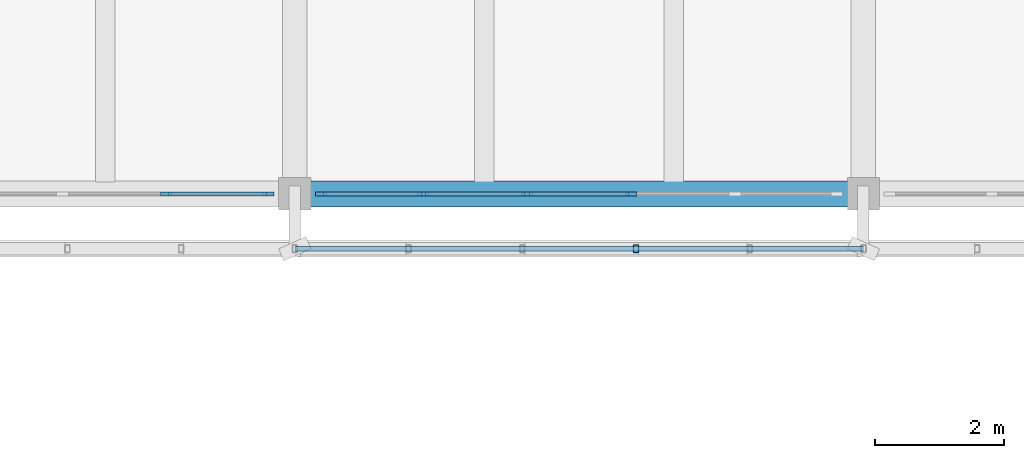
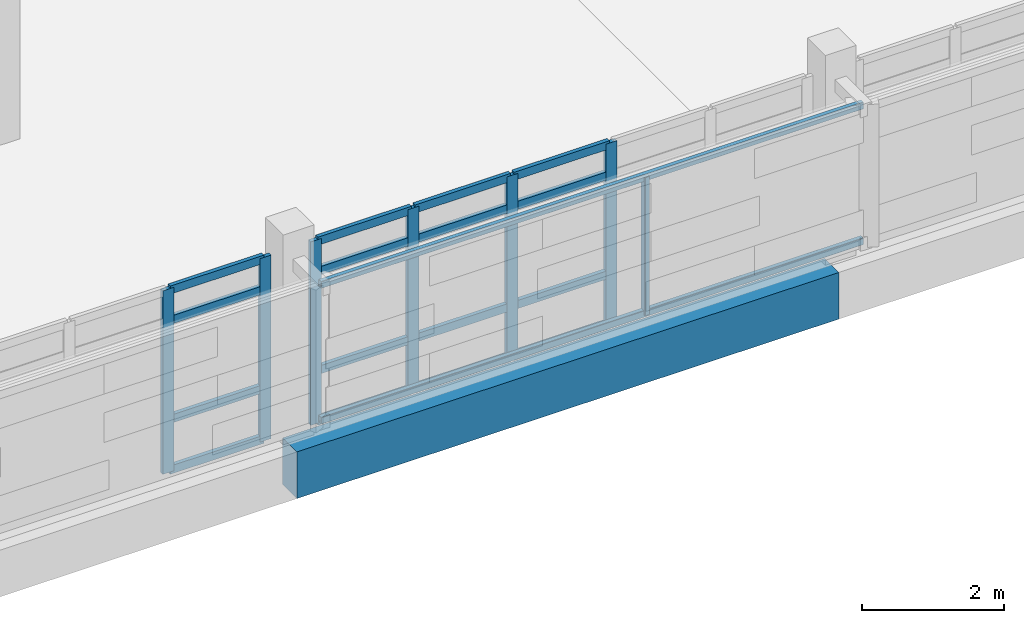
# One storey, part 13 of 50: 25 members, 1 beam, 2 elements without a shape of their own.
"""IFC4 building model written with IfcOpenShell, lengths in metres."""

from ifc_helpers import new_model, si_unit, direction, frame, origin, origin_2d, place, context, subcontext, project, spatial, rectangle, hollow_rectangle, extrude, material, material_profile, profile_set, type_object, element, aggregate, save


model = new_model("IFC4")

# Units and contexts
model_context = context("Model", 3, precision=1e-05, world=origin(), true_north=direction((0.0, 1.0)))
body_context = subcontext(model_context, "Body", "Model", "MODEL_VIEW")
ifc_project = project(units=[si_unit("LENGTHUNIT", "METRE"), si_unit("AREAUNIT", "SQUARE_METRE"), si_unit("VOLUMEUNIT", "CUBIC_METRE"), si_unit("PLANEANGLEUNIT", "RADIAN"), si_unit("MASSUNIT", "GRAM", prefix="KILO")], contexts=[model_context])

# Site, building, storey
site_placement = place(None, origin())
site = spatial("IfcSite", under=ifc_project, at=site_placement, CompositionType="ELEMENT")
building_placement = place(site_placement, origin())
building = spatial("IfcBuilding", under=site, at=building_placement, Name="Cinderway Yard Community Centre", CompositionType="ELEMENT")
storey_placement = place(building_placement, frame((0.0, 0.0, 12.89990234375)))
storey = spatial("IfcBuildingStorey", under=building, at=storey_placement, Name="L03", CompositionType="ELEMENT", Elevation=12.89990234375)

# Curtain wall, members
ifc_material_1 = material(Name="Aluminium 6063-T6", Category="aluminium")
curtain_wall_type = type_object("IfcCurtainWallType", Name="ENV-CW-TYPE-33", PredefinedType="USERDEFINED", material=ifc_material_1)
curtain_wall_1_placement = place(storey_placement, origin())
curtain_wall_1 = element("IfcCurtainWall", 1, at=curtain_wall_1_placement, inside=storey, type_object=curtain_wall_type, Name="V4 Courtyard Curtain Wall ENV-CW-L03-HS-0165", ObjectType="GLAZED CURTAIN WALL", PredefinedType="USERDEFINED")
ifc_material_profile_1 = material_profile(ifc_material_1, rectangle(XDim=0.06494140625, YDim=0.179931640625, at=origin_2d()), Name="Aluminium 6063-T6")
ifc_profile_set_1 = profile_set([ifc_material_profile_1], Name="Aluminium 6063-T6")
member_type_1 = type_object("IfcMemberType", Name="ENV-CW-MULL-180", PredefinedType="MULLION", material=ifc_profile_set_1)
member_1_placement = place(storey_placement, frame((82.011962890625, 90.0, 0.0), z_axis=(0.0, 0.0, 1.0), x_axis=(0.0, 1.0, 0.0)))
member_1 = element("IfcMember", 2, at=member_1_placement, type_object=member_type_1, Name="CW-33 mullion 5", PredefinedType="MULLION", context=body_context, shape_type="SweptSolid", body=[
    extrude(rectangle(XDim=0.06494140625, YDim=0.179931640625, at=origin_2d()), origin(), (0.0, 0.0, 1.0), 3.150146484375),
])
member_2_placement = place(storey_placement, frame((83.590087890625, 90.0, 0.0), z_axis=(0.0, 0.0, 1.0), x_axis=(0.0, 1.0, 0.0)))
member_2 = element("IfcMember", 3, at=member_2_placement, type_object=member_type_1, Name="CW-33 mullion 6", PredefinedType="MULLION", context=body_context, shape_type="SweptSolid", body=[
    extrude(rectangle(XDim=0.06494140625, YDim=0.179931640625, at=origin_2d()), origin(), (0.0, 0.0, 1.0), 3.150146484375),
])

curtain_wall_2_placement = place(storey_placement, origin())
curtain_wall_2 = element("IfcCurtainWall", 4, at=curtain_wall_2_placement, inside=storey, type_object=curtain_wall_type, Name="V4 Courtyard Curtain Wall ENV-CW-L03-HS-0167", ObjectType="GLAZED CURTAIN WALL", PredefinedType="USERDEFINED")
member_3_placement = place(storey_placement, frame((84.409912109375, 90.0, 0.0), z_axis=(0.0, 0.0, 1.0), x_axis=(0.0, 1.0, 0.0)))
member_3 = element("IfcMember", 5, at=member_3_placement, type_object=member_type_1, Name="CW-33 mullion 1", PredefinedType="MULLION", context=body_context, shape_type="SweptSolid", body=[
    extrude(rectangle(XDim=0.06494140625, YDim=0.179931640625, at=origin_2d()), origin(), (0.0, 0.0, 1.0), 3.150146484375),
])
member_4_placement = place(storey_placement, frame((85.988037109375, 90.0, 0.0), z_axis=(0.0, 0.0, 1.0), x_axis=(0.0, 1.0, 0.0)))
member_4 = element("IfcMember", 6, at=member_4_placement, type_object=member_type_1, Name="CW-33 mullion 2", PredefinedType="MULLION", context=body_context, shape_type="SweptSolid", body=[
    extrude(rectangle(XDim=0.06494140625, YDim=0.179931640625, at=origin_2d()), origin(), (0.0, 0.0, 1.0), 3.150146484375),
])
member_5_placement = place(storey_placement, frame((87.595947265625, 90.0, 0.0), z_axis=(0.0, 0.0, 1.0), x_axis=(0.0, 1.0, 0.0)))
member_5 = element("IfcMember", 7, at=member_5_placement, type_object=member_type_1, Name="CW-33 mullion 3", PredefinedType="MULLION", context=body_context, shape_type="SweptSolid", body=[
    extrude(rectangle(XDim=0.06494140625, YDim=0.179931640625, at=origin_2d()), origin(), (0.0, 0.0, 1.0), 3.150146484375),
])
member_6_placement = place(storey_placement, frame((89.2041015625, 90.0, 0.0), z_axis=(0.0, 0.0, 1.0), x_axis=(0.0, 1.0, 0.0)))
member_6 = element("IfcMember", 8, at=member_6_placement, type_object=member_type_1, Name="CW-33 mullion 4", PredefinedType="MULLION", context=body_context, shape_type="SweptSolid", body=[
    extrude(rectangle(XDim=0.06494140625, YDim=0.179931640625, at=origin_2d()), origin(), (0.0, 0.0, 1.0), 3.150146484375),
])

# Member
ifc_material_profile_2 = material_profile(ifc_material_1, rectangle(XDim=0.06494140625, YDim=0.139892578125, at=origin_2d()), Name="Aluminium 6063-T6")
ifc_profile_set_2 = profile_set([ifc_material_profile_2], Name="Aluminium 6063-T6")
member_type_2 = type_object("IfcMemberType", Name="ENV-CW-TRAN-140", PredefinedType="USERDEFINED", material=ifc_profile_set_2)
member_7_placement = place(storey_placement, frame((82.0419921875, 90.0, 0.030029296875), z_axis=(1.0, 0.0, 0.0), x_axis=(0.0, 1.0, 0.0)))
member_7 = element("IfcMember", 9, at=member_7_placement, type_object=member_type_2, Name="CW-33 transom 5.1", ObjectType="TRANSOM", PredefinedType="USERDEFINED", context=body_context, shape_type="SweptSolid", body=[
    extrude(rectangle(XDim=0.06494140625, YDim=0.139892578125, at=origin_2d()), origin(), (0.0, 0.0, 1.0), 1.51806640625),
])

member_8_placement = place(storey_placement, frame((82.0419921875, 90.0, 0.900146484375), z_axis=(1.0, 0.0, 0.0), x_axis=(0.0, 1.0, 0.0)))
member_8 = element("IfcMember", 10, at=member_8_placement, type_object=member_type_2, Name="CW-33 transom 5.2", ObjectType="TRANSOM", PredefinedType="USERDEFINED", context=body_context, shape_type="SweptSolid", body=[
    extrude(rectangle(XDim=0.06494140625, YDim=0.139892578125, at=origin_2d()), origin(), (0.0, 0.0, 1.0), 1.51806640625),
])

member_9_placement = place(storey_placement, frame((82.0419921875, 90.0, 2.60009765625), z_axis=(1.0, 0.0, 0.0), x_axis=(0.0, 1.0, 0.0)))
member_9 = element("IfcMember", 11, at=member_9_placement, type_object=member_type_2, Name="CW-33 transom 5.3", ObjectType="TRANSOM", PredefinedType="USERDEFINED", context=body_context, shape_type="SweptSolid", body=[
    extrude(rectangle(XDim=0.06494140625, YDim=0.139892578125, at=origin_2d()), origin(), (0.0, 0.0, 1.0), 1.51806640625),
])

member_10_placement = place(storey_placement, frame((82.0419921875, 90.0, 3.1201171875), z_axis=(1.0, 0.0, 0.0), x_axis=(0.0, 1.0, 0.0)))
member_10 = element("IfcMember", 12, at=member_10_placement, type_object=member_type_2, Name="CW-33 transom 5.4", ObjectType="TRANSOM", PredefinedType="USERDEFINED", context=body_context, shape_type="SweptSolid", body=[
    extrude(rectangle(XDim=0.06494140625, YDim=0.139892578125, at=origin_2d()), origin(), (0.0, 0.0, 1.0), 1.51806640625),
])

aggregate(curtain_wall_1, [member_1, member_2, member_7, member_8, member_9, member_10])

member_11_placement = place(storey_placement, frame((84.43994140625, 90.0, 0.030029296875), z_axis=(1.0, 0.0, 0.0), x_axis=(0.0, 1.0, 0.0)))
member_11 = element("IfcMember", 13, at=member_11_placement, type_object=member_type_2, Name="CW-33 transom 1.1", ObjectType="TRANSOM", PredefinedType="USERDEFINED", context=body_context, shape_type="SweptSolid", body=[
    extrude(rectangle(XDim=0.06494140625, YDim=0.139892578125, at=origin_2d()), origin(), (0.0, 0.0, 1.0), 1.51806640625),
])

member_12_placement = place(storey_placement, frame((84.43994140625, 90.0, 0.900146484375), z_axis=(1.0, 0.0, 0.0), x_axis=(0.0, 1.0, 0.0)))
member_12 = element("IfcMember", 14, at=member_12_placement, type_object=member_type_2, Name="CW-33 transom 1.2", ObjectType="TRANSOM", PredefinedType="USERDEFINED", context=body_context, shape_type="SweptSolid", body=[
    extrude(rectangle(XDim=0.06494140625, YDim=0.139892578125, at=origin_2d()), origin(), (0.0, 0.0, 1.0), 1.51806640625),
])

member_13_placement = place(storey_placement, frame((84.43994140625, 90.0, 2.60009765625), z_axis=(1.0, 0.0, 0.0), x_axis=(0.0, 1.0, 0.0)))
member_13 = element("IfcMember", 15, at=member_13_placement, type_object=member_type_2, Name="CW-33 transom 1.3", ObjectType="TRANSOM", PredefinedType="USERDEFINED", context=body_context, shape_type="SweptSolid", body=[
    extrude(rectangle(XDim=0.06494140625, YDim=0.139892578125, at=origin_2d()), origin(), (0.0, 0.0, 1.0), 1.51806640625),
])

member_14_placement = place(storey_placement, frame((84.43994140625, 90.0, 3.1201171875), z_axis=(1.0, 0.0, 0.0), x_axis=(0.0, 1.0, 0.0)))
member_14 = element("IfcMember", 16, at=member_14_placement, type_object=member_type_2, Name="CW-33 transom 1.4", ObjectType="TRANSOM", PredefinedType="USERDEFINED", context=body_context, shape_type="SweptSolid", body=[
    extrude(rectangle(XDim=0.06494140625, YDim=0.139892578125, at=origin_2d()), origin(), (0.0, 0.0, 1.0), 1.51806640625),
])

member_15_placement = place(storey_placement, frame((86.01806640625, 90.0, 0.030029296875), z_axis=(1.0, 0.0, 0.0), x_axis=(0.0, 1.0, 0.0)))
member_15 = element("IfcMember", 17, at=member_15_placement, type_object=member_type_2, Name="CW-33 transom 2.1", ObjectType="TRANSOM", PredefinedType="USERDEFINED", context=body_context, shape_type="SweptSolid", body=[
    extrude(rectangle(XDim=0.06494140625, YDim=0.139892578125, at=origin_2d()), origin(), (0.0, 0.0, 1.0), 1.5478515625),
])

member_16_placement = place(storey_placement, frame((86.01806640625, 90.0, 0.900146484375), z_axis=(1.0, 0.0, 0.0), x_axis=(0.0, 1.0, 0.0)))
member_16 = element("IfcMember", 18, at=member_16_placement, type_object=member_type_2, Name="CW-33 transom 2.2", ObjectType="TRANSOM", PredefinedType="USERDEFINED", context=body_context, shape_type="SweptSolid", body=[
    extrude(rectangle(XDim=0.06494140625, YDim=0.139892578125, at=origin_2d()), origin(), (0.0, 0.0, 1.0), 1.5478515625),
])

member_17_placement = place(storey_placement, frame((86.01806640625, 90.0, 2.60009765625), z_axis=(1.0, 0.0, 0.0), x_axis=(0.0, 1.0, 0.0)))
member_17 = element("IfcMember", 19, at=member_17_placement, type_object=member_type_2, Name="CW-33 transom 2.3", ObjectType="TRANSOM", PredefinedType="USERDEFINED", context=body_context, shape_type="SweptSolid", body=[
    extrude(rectangle(XDim=0.06494140625, YDim=0.139892578125, at=origin_2d()), origin(), (0.0, 0.0, 1.0), 1.5478515625),
])

member_18_placement = place(storey_placement, frame((86.01806640625, 90.0, 3.1201171875), z_axis=(1.0, 0.0, 0.0), x_axis=(0.0, 1.0, 0.0)))
member_18 = element("IfcMember", 20, at=member_18_placement, type_object=member_type_2, Name="CW-33 transom 2.4", ObjectType="TRANSOM", PredefinedType="USERDEFINED", context=body_context, shape_type="SweptSolid", body=[
    extrude(rectangle(XDim=0.06494140625, YDim=0.139892578125, at=origin_2d()), origin(), (0.0, 0.0, 1.0), 1.5478515625),
])

member_19_placement = place(storey_placement, frame((87.6259765625, 90.0, 0.030029296875), z_axis=(1.0, 0.0, 0.0), x_axis=(0.0, 1.0, 0.0)))
member_19 = element("IfcMember", 21, at=member_19_placement, type_object=member_type_2, Name="CW-33 transom 3.1", ObjectType="TRANSOM", PredefinedType="USERDEFINED", context=body_context, shape_type="SweptSolid", body=[
    extrude(rectangle(XDim=0.06494140625, YDim=0.139892578125, at=origin_2d()), origin(), (0.0, 0.0, 1.0), 1.548095703125),
])

member_20_placement = place(storey_placement, frame((87.6259765625, 90.0, 0.900146484375), z_axis=(1.0, 0.0, 0.0), x_axis=(0.0, 1.0, 0.0)))
member_20 = element("IfcMember", 22, at=member_20_placement, type_object=member_type_2, Name="CW-33 transom 3.2", ObjectType="TRANSOM", PredefinedType="USERDEFINED", context=body_context, shape_type="SweptSolid", body=[
    extrude(rectangle(XDim=0.06494140625, YDim=0.139892578125, at=origin_2d()), origin(), (0.0, 0.0, 1.0), 1.548095703125),
])

member_21_placement = place(storey_placement, frame((87.6259765625, 90.0, 2.60009765625), z_axis=(1.0, 0.0, 0.0), x_axis=(0.0, 1.0, 0.0)))
member_21 = element("IfcMember", 23, at=member_21_placement, type_object=member_type_2, Name="CW-33 transom 3.3", ObjectType="TRANSOM", PredefinedType="USERDEFINED", context=body_context, shape_type="SweptSolid", body=[
    extrude(rectangle(XDim=0.06494140625, YDim=0.139892578125, at=origin_2d()), origin(), (0.0, 0.0, 1.0), 1.548095703125),
])

member_22_placement = place(storey_placement, frame((87.6259765625, 90.0, 3.1201171875), z_axis=(1.0, 0.0, 0.0), x_axis=(0.0, 1.0, 0.0)))
member_22 = element("IfcMember", 24, at=member_22_placement, type_object=member_type_2, Name="CW-33 transom 3.4", ObjectType="TRANSOM", PredefinedType="USERDEFINED", context=body_context, shape_type="SweptSolid", body=[
    extrude(rectangle(XDim=0.06494140625, YDim=0.139892578125, at=origin_2d()), origin(), (0.0, 0.0, 1.0), 1.548095703125),
])

aggregate(curtain_wall_2, [member_3, member_4, member_5, member_6, member_11, member_12, member_13, member_14, member_15, member_16, member_17, member_18, member_19, member_20, member_21, member_22])

# Members
ifc_material_2 = material(Name="Steel S355", Category="steel")
ifc_material_profile_3 = material_profile(ifc_material_2, hollow_rectangle(XDim=0.080078125, YDim=0.1201171875, WallThickness=0.00634765625, InnerFilletRadius=0.00634765625, OuterFilletRadius=0.0126953125, at=origin_2d()), Name="Steel S355")
ifc_profile_set_3 = profile_set([ifc_material_profile_3], Name="Steel S355")
member_type_3 = type_object("IfcMemberType", Name="ENV-MEM-SCREEN-RAIL-120", PredefinedType="STRINGER", material=ifc_profile_set_3)
for number, where, z_axis, x_axis, name in (
    (25, (84.0, 89.14990234375, 0.710205078125), (1.0, 0.0, 0.0), (0.0, 1.0, 0.0), "Screen support rail 0520-BOT"),
    (26, (84.0, 89.14990234375, 3.0400390625), (1.0, 0.0, 0.0), (0.0, 1.0, 0.0), "Screen support rail 0521-TOP"),
):
    element("IfcMember", number, at=place(storey_placement, frame(where, z_axis=z_axis, x_axis=x_axis)), inside=storey, type_object=member_type_3, Name=name, PredefinedType="STRINGER", context=body_context, shape_type="SweptSolid", body=[
        extrude(hollow_rectangle(XDim=0.080078125, YDim=0.1201171875, WallThickness=0.00634765625, InnerFilletRadius=0.00634765625, OuterFilletRadius=0.0126953125, at=origin_2d()), origin(), (0.0, 0.0, 1.0), 8.800048828125),
    ])
member_23_placement = place(storey_placement, frame((89.280029296875, 89.14990234375, 0.690185546875), z_axis=(0.0, 0.0, 1.0), x_axis=(1.0, 0.0, 0.0)))
element("IfcMember", 27, at=member_23_placement, inside=storey, type_object=member_type_3, Name="Screen vertical mullion 0524", PredefinedType="STRINGER", context=body_context, shape_type="SweptSolid", body=[
    extrude(hollow_rectangle(XDim=0.080078125, YDim=0.1201171875, WallThickness=0.00634765625, InnerFilletRadius=0.00634765625, OuterFilletRadius=0.0126953125, at=origin_2d()), origin(), (0.0, 0.0, 1.0), 2.369873046875),
])

# Beam
ifc_material_3 = material(Name="Concrete C40/50", Category="concrete")
ifc_material_profile_4 = material_profile(ifc_material_3, rectangle(XDim=0.39990234375, YDim=0.800048828125, at=origin_2d()), Name="Concrete C40/50")
ifc_profile_set_4 = profile_set([ifc_material_profile_4], Name="Concrete C40/50")
beam_type = type_object("IfcBeamType", Name="STR-BM-RC400X800", PredefinedType="BEAM", material=ifc_profile_set_4)
beam_placement = place(storey_placement, frame((84.0, 90.0, -0.639892578125), z_axis=(1.0, 0.0, 0.0), x_axis=(0.0, 1.0, 0.0)))
element("IfcBeam", 28, at=beam_placement, inside=storey, type_object=beam_type, Name="Primary girder STR-BM-L03-BG05-0675", PredefinedType="BEAM", context=body_context, shape_type="SweptSolid", body=[
    extrude(rectangle(XDim=0.39990234375, YDim=0.800048828125, at=origin_2d()), origin(), (0.0, 0.0, 1.0), 8.800048828125),
])

save(model, "model.ifc")
